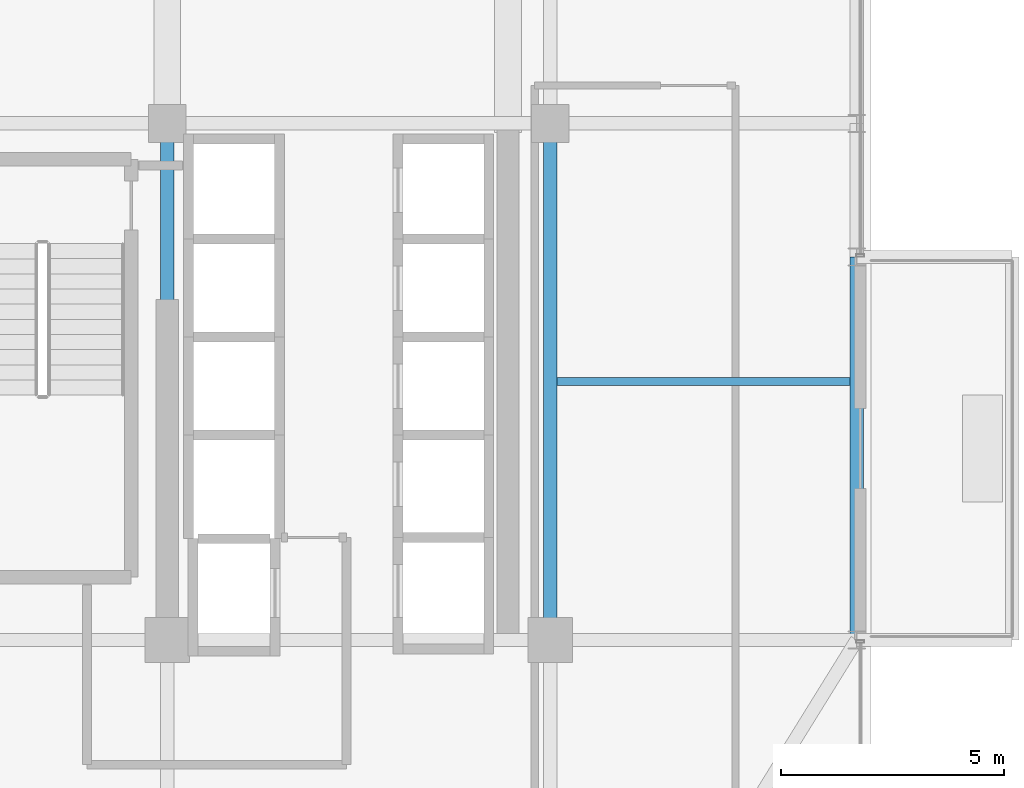
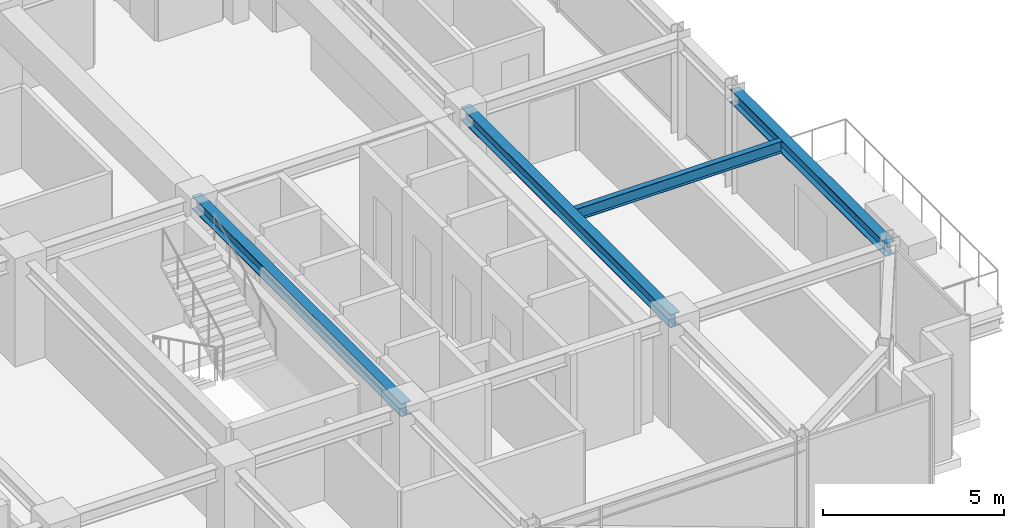
# One storey, part 14 of 36: 4 beams.
"""IFC4 building model written with IfcOpenShell, lengths in metres."""

from ifc_helpers import new_model, si_unit, direction, frame, origin, origin_2d, place, context, subcontext, project, spatial, i_section, extrude, source, transform, mapped, material, material_profile, profile_set, type_object, element, save


model = new_model("IFC4")

# Units and contexts
model_context = context("Model", 3, precision=1e-05, world=origin(), true_north=direction((0.0, 1.0)))
body_context = subcontext(model_context, "Body", "Model", "MODEL_VIEW")
ifc_project = project(units=[si_unit("LENGTHUNIT", "METRE"), si_unit("AREAUNIT", "SQUARE_METRE"), si_unit("VOLUMEUNIT", "CUBIC_METRE"), si_unit("PLANEANGLEUNIT", "RADIAN"), si_unit("MASSUNIT", "GRAM", prefix="KILO")], contexts=[model_context])

# Site, building, storey
site_placement = place(None, origin())
site = spatial("IfcSite", under=ifc_project, at=site_placement, CompositionType="ELEMENT")
building_placement = place(site_placement, origin())
building = spatial("IfcBuilding", under=site, at=building_placement, Name="Nahalor Promenade Grand Hotel", CompositionType="ELEMENT")
storey_placement = place(building_placement, frame((0.0, 0.0, 234.5)))
storey = spatial("IfcBuildingStorey", under=building, at=storey_placement, Name="L60", CompositionType="ELEMENT", Elevation=234.5)

# Beams
ifc_material = material(Name="Steel S355JR", Category="steel")
ifc_material_profile_1 = material_profile(ifc_material, i_section(OverallWidth=0.3, OverallDepth=0.45, WebThickness=0.014, FlangeThickness=0.026, at=origin_2d()), Name="HEB 450")
ifc_profile_set_1 = profile_set([ifc_material_profile_1], Name="Steel S355JR")
beam_type_1 = type_object("IfcBeamType", Name="Beam-Spandrel-HEB450", PredefinedType="SPANDREL", material=ifc_profile_set_1)
shared_shape_1 = source(origin(), body_context, "Body", "SweptSolid", [
    extrude(i_section(OverallWidth=0.3, OverallDepth=0.45, WebThickness=0.014, FlangeThickness=0.026, at=origin_2d()), origin(), (0.0, 0.0, 1.0), 8.60009765625),
])
beam_1_placement = place(storey_placement, frame((23.8798828125, -17.0, 3.18505859375), z_axis=(0.0, 1.0, 0.0), x_axis=(-1.0, 0.0, 0.0)))
element("IfcBeam", 1, at=beam_1_placement, inside=storey, type_object=beam_type_1, Name="BM-L60-SP-E-0", PredefinedType="SPANDREL", context=body_context, shape_type="MappedRepresentation", body=[
    mapped(shared_shape_1, transform((0.0, 0.0, 0.0), scale=1.0)),
])
ifc_material_profile_2 = material_profile(ifc_material, i_section(OverallWidth=0.3, OverallDepth=0.45, WebThickness=0.014, FlangeThickness=0.026, at=origin_2d()), Name="HEB 450")
ifc_profile_set_2 = profile_set([ifc_material_profile_2], Name="Steel S355JR")
beam_type_2 = type_object("IfcBeamType", Name="Beam-Girder-HEB450", PredefinedType="BEAM", material=ifc_profile_set_2)
shared_shape_2 = source(origin(), body_context, "Body", "SweptSolid", [
    extrude(i_section(OverallWidth=0.3, OverallDepth=0.45, WebThickness=0.014, FlangeThickness=0.026, at=origin_2d()), origin(), (0.0, 0.0, 1.0), 11.60009765625),
])
for number, where, z_axis, x_axis, name in (
    (2, (8.39990234375, -17.0, 3.18505859375), (0.0, 1.0, 0.0), (-1.0, 0.0, 0.0), "BM-L60-GY-4-1"),
    (3, (17.0, -17.0, 3.18505859375), (0.0, 1.0, 0.0), (-1.0, 0.0, 0.0), "BM-L60-GY-5-1"),
):
    element("IfcBeam", number, at=place(storey_placement, frame(where, z_axis=z_axis, x_axis=x_axis)), inside=storey, type_object=beam_type_2, Name=name, PredefinedType="BEAM", context=body_context, shape_type="MappedRepresentation", body=[
        mapped(shared_shape_2, transform((0.0, 0.0, 0.0), scale=1.0)),
    ])
ifc_material_profile_3 = material_profile(ifc_material, i_section(OverallWidth=0.18, OverallDepth=0.4, WebThickness=0.0086, FlangeThickness=0.0135, at=origin_2d()), Name="IPE 400")
ifc_profile_set_3 = profile_set([ifc_material_profile_3], Name="Steel S355JR")
beam_type_3 = type_object("IfcBeamType", Name="Beam-Joist-IPE400", PredefinedType="JOIST", material=ifc_profile_set_3)
shared_shape_3 = source(origin(), body_context, "Body", "SweptSolid", [
    extrude(i_section(OverallWidth=0.18, OverallDepth=0.4, WebThickness=0.0086, FlangeThickness=0.0135, at=origin_2d()), origin(), (0.0, 0.0, 1.0), 6.580078125),
])
beam_2_placement = place(storey_placement, frame((17.14990234375, -11.199951171875, 3.2099609375), z_axis=(1.0, 0.0, 0.0), x_axis=(0.0, 1.0, 0.0)))
element("IfcBeam", 4, at=beam_2_placement, inside=storey, type_object=beam_type_3, Name="BM-L60-JSE-0-2", PredefinedType="JOIST", context=body_context, shape_type="MappedRepresentation", body=[
    mapped(shared_shape_3, transform((0.0, 0.0, 0.0), scale=1.0)),
])

save(model, "model.ifc")
